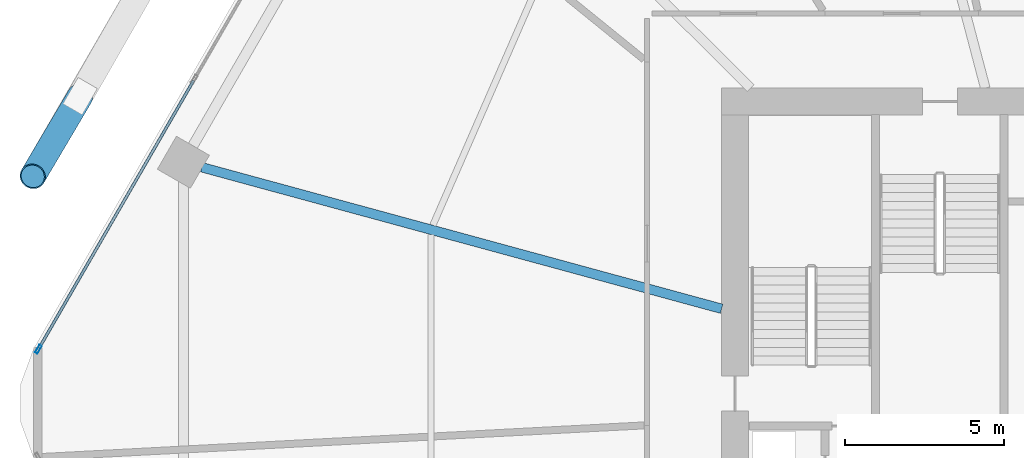
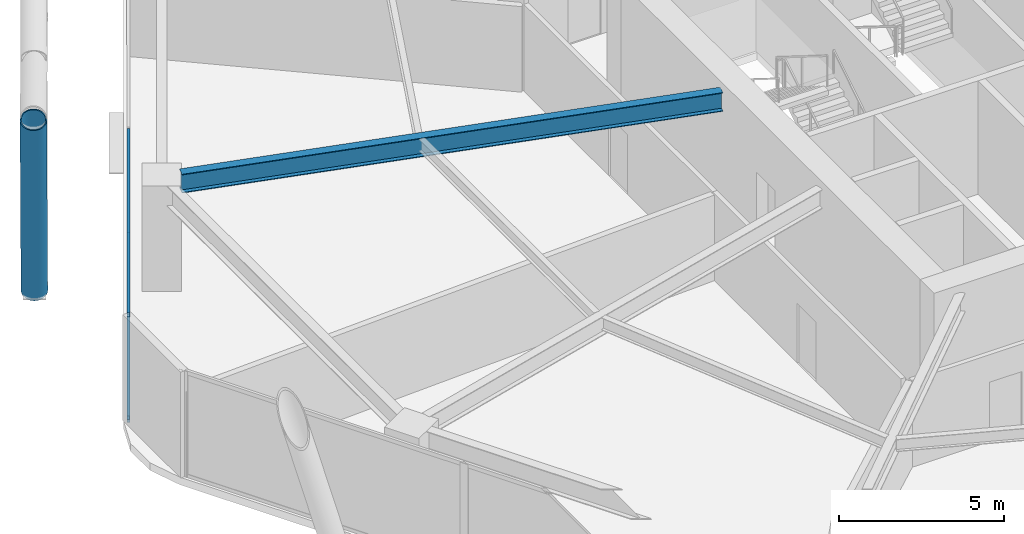
# One storey, part 13 of 30: 4 members, 1 beam, 1 element without a shape of its own.
"""IFC4 building model written with IfcOpenShell, lengths in metres."""

from ifc_helpers import new_model, si_unit, direction, frame, origin, origin_2d, place, context, subcontext, project, spatial, hollow_rectangle, hollow_circle, i_section, extrude, material, material_profile, profile_set, type_object, element, aggregate, save


model = new_model("IFC4")

# Units and contexts
model_context = context("Model", 3, precision=1e-05, world=origin(), true_north=direction((0.0, 1.0)))
body_context = subcontext(model_context, "Body", "Model", "MODEL_VIEW")
ifc_project = project(units=[si_unit("LENGTHUNIT", "METRE"), si_unit("AREAUNIT", "SQUARE_METRE"), si_unit("VOLUMEUNIT", "CUBIC_METRE"), si_unit("PLANEANGLEUNIT", "RADIAN"), si_unit("MASSUNIT", "GRAM", prefix="KILO")], contexts=[model_context])

# Site, building, storey
site_placement = place(None, origin())
site = spatial("IfcSite", under=ifc_project, at=site_placement, CompositionType="ELEMENT")
building_placement = place(site_placement, origin())
building = spatial("IfcBuilding", under=site, at=building_placement, Name="Zuhravey Tower", CompositionType="ELEMENT")
storey_placement = place(building_placement, frame((0.0, 0.0, 33.0)))
storey = spatial("IfcBuildingStorey", under=building, at=storey_placement, Name="L08", CompositionType="ELEMENT", Elevation=33.0)

# Curtain wall, members
ifc_material_1 = material(Name="Thermally broken anodised aluminium", Category="aluminium")
curtain_wall_type = type_object("IfcCurtainWallType", Name="School Low-E Unitised Curtain Wall CW1", PredefinedType="NOTDEFINED", material=ifc_material_1)
curtain_wall_placement = place(storey_placement, origin())
curtain_wall = element("IfcCurtainWall", 1, at=curtain_wall_placement, inside=storey, type_object=curtain_wall_type, Name="L08 CW1 CW-L08-F3-1", PredefinedType="NOTDEFINED")
ifc_material_2 = material(Name="Anodised aluminium", Category="aluminium")
ifc_material_profile_1 = material_profile(ifc_material_2, hollow_rectangle(XDim=0.090087890625, YDim=0.284912109375, WallThickness=0.0048828125, at=origin_2d()), Name="ALU-RHS-90x285x5")
ifc_profile_set_1 = profile_set([ifc_material_profile_1], Name="Anodised aluminium")
member_type_1 = type_object("IfcMemberType", Name="Curtain-Wall Mullion 90x180", PredefinedType="MULLION", material=ifc_profile_set_1)
member_1_placement = place(storey_placement, frame((3.5439453125, 33.701416015625, 0.0), z_axis=(0.0, 0.0, 1.0), x_axis=(-0.86602552265, 0.499999794119, 0.0)))
member_1 = element("IfcMember", 2, at=member_1_placement, type_object=member_type_1, Name="CW1 mullion 1", PredefinedType="MULLION", context=body_context, shape_type="SweptSolid", body=[
    extrude(hollow_rectangle(XDim=0.090087890625, YDim=0.284912109375, WallThickness=0.0048828125, at=origin_2d()), origin(), (0.0, 0.0, 1.0), 3.919921875),
])
ifc_material_profile_2 = material_profile(ifc_material_2, hollow_rectangle(XDim=0.090087890625, YDim=0.14990234375, WallThickness=0.0048828125, at=origin_2d()), Name="ALU-RHS-90x150x5")
ifc_profile_set_2 = profile_set([ifc_material_profile_2], Name="Anodised aluminium")
member_type_2 = type_object("IfcMemberType", Name="Curtain-Wall Transom 90x150", PredefinedType="USERDEFINED", material=ifc_profile_set_2)
member_2_placement = place(storey_placement, frame((3.56640625, 33.740478515625, 0.044921875), z_axis=(0.500008393077, 0.866020557985, 0.0), x_axis=(-0.866020557985, 0.500008393077, 0.0)))
member_2 = element("IfcMember", 3, at=member_2_placement, type_object=member_type_2, Name="CW1 transom 1.1", ObjectType="TRANSOM", PredefinedType="USERDEFINED", context=body_context, shape_type="SweptSolid", body=[
    extrude(hollow_rectangle(XDim=0.090087890625, YDim=0.14990234375, WallThickness=0.0048828125, at=origin_2d()), origin(), (0.0, 0.0, 1.0), 9.731201171875),
])
member_3_placement = place(storey_placement, frame((3.56640625, 33.740478515625, 3.875), z_axis=(0.500008393077, 0.866020557985, 0.0), x_axis=(-0.866020557985, 0.500008393077, 0.0)))
member_3 = element("IfcMember", 4, at=member_3_placement, type_object=member_type_2, Name="CW1 transom 1.2", ObjectType="TRANSOM", PredefinedType="USERDEFINED", context=body_context, shape_type="SweptSolid", body=[
    extrude(hollow_rectangle(XDim=0.090087890625, YDim=0.14990234375, WallThickness=0.0048828125, at=origin_2d()), origin(), (0.0, 0.0, 1.0), 9.731201171875),
])
aggregate(curtain_wall, [member_1, member_2, member_3])

# Member
ifc_material_3 = material(Name="Steel SM460", Category="steel")
ifc_material_profile_3 = material_profile(ifc_material_3, hollow_circle(Radius=0.406494140625, WallThickness=0.035888671875, at=origin_2d()), Name="CHS-812.8x36")
ifc_profile_set_3 = profile_set([ifc_material_profile_3], Name="Steel SM460")
member_type_3 = type_object("IfcMemberType", Name="Exoskeleton Zone 1 Diagrid CHS813x36", PredefinedType="BRACE", material=ifc_profile_set_3)
member_4_placement = place(storey_placement, frame((4.852294921875, 41.66748046875, -0.471923828125), z_axis=(-0.168257085862, -0.284647311923, 0.943750740859), x_axis=(0.860851811268, -0.508855734995, 0.0)))
element("IfcMember", 5, at=member_4_placement, inside=storey, type_object=member_type_3, Name="L08 Face 3 Diagrid Brace 4", PredefinedType="BRACE", context=body_context, shape_type="SweptSolid", body=[
    extrude(hollow_circle(Radius=0.406494140625, WallThickness=0.035888671875, at=origin_2d()), origin(), (0.0, 0.0, 1.0), 8.85400390625),
])

# Beam
ifc_material_4 = material(Name="Steel SM355", Category="steel")
ifc_material_profile_4 = material_profile(ifc_material_4, i_section(OverallWidth=0.300048828125, OverallDepth=0.699951171875, WebThickness=0.012939453125, FlangeThickness=0.02392578125, at=origin_2d()), Name="H-700x300x13x24")
ifc_profile_set_4 = profile_set([ifc_material_profile_4], Name="Steel SM355")
beam_type = type_object("IfcBeamType", Name="Radial Primary Girder H700x300", PredefinedType="BEAM", material=ifc_profile_set_4)
beam_placement = place(storey_placement, frame((25.072021484375, 34.974609375, 3.570068359375), z_axis=(-0.964892480455, 0.26264520015, 0.0), x_axis=(-0.26264520015, -0.964892480455, 0.0)))
element("IfcBeam", 6, at=beam_placement, inside=storey, type_object=beam_type, Name="L08 RG1 BM-L08-RAD-06", PredefinedType="BEAM", context=body_context, shape_type="SweptSolid", body=[
    extrude(i_section(OverallWidth=0.300048828125, OverallDepth=0.699951171875, WebThickness=0.012939453125, FlangeThickness=0.02392578125, at=origin_2d()), origin(), (0.0, 0.0, 1.0), 16.975341796875),
])

save(model, "model.ifc")
